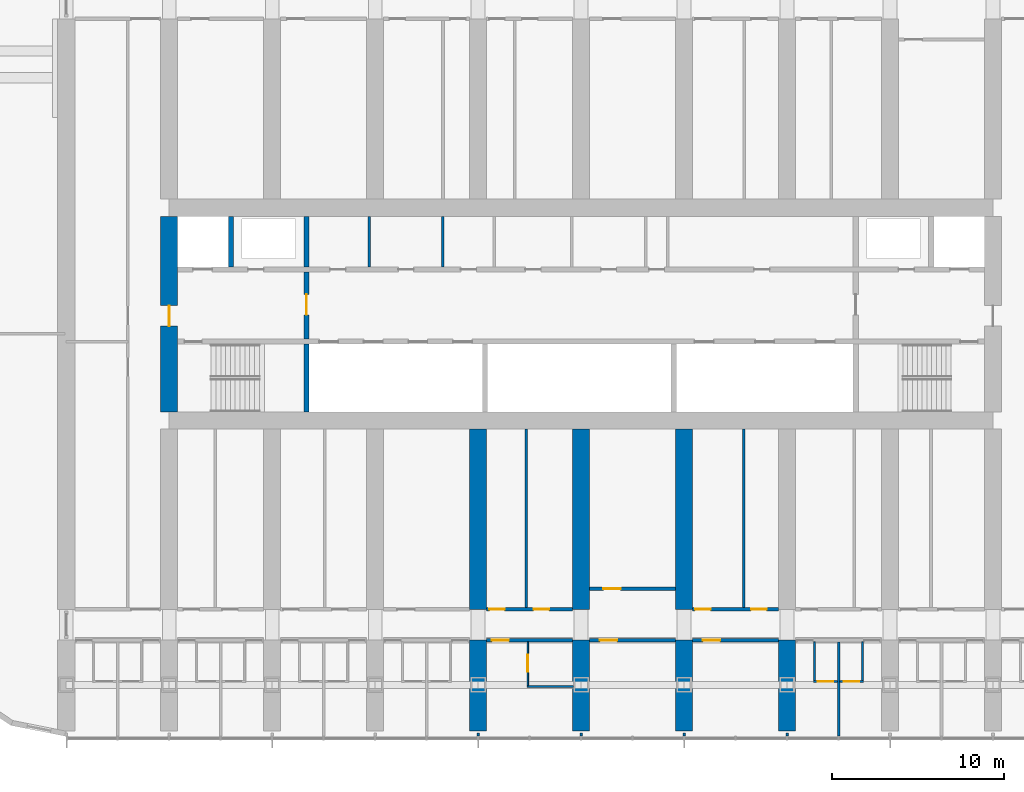
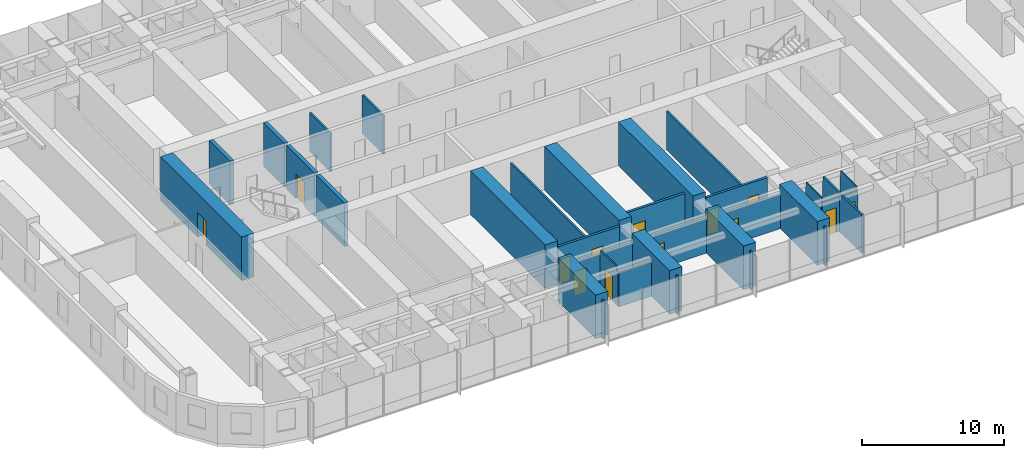
# One storey, part 12 of 24: 33 walls, 13 doors, 13 openings.
"""IFC4 building model written with IfcOpenShell, lengths in metres."""

import ifcopenshell
import ifcopenshell.guid

model = None  # the IFC model being written
_history = None  # IfcOwnerHistory: only IFC2X3 demands one
_inside = {}  # id of a spatial element -> (the spatial element, [elements in it])
_under = {}  # id of a project, library or spatial element -> (it, [spatial elements below it])
_declared = {}  # id of a project -> (the project, [libraries it declares])
_typed = {}  # id of a type object -> (the type object, [elements of that type])
_made_of = {}  # id of a material, layer set ... -> (it, [elements and type objects made of it])


def new_model(schema):
    """Start an empty IFC model of exactly this schema.

    Asked for "IFC4X3", IfcOpenShell would pick the latest addendum, in which some entities
    have other attributes; the version numbers below select the first issue.
    IFC2X3 requires an IfcOwnerHistory on every rooted entity: one is made here for all.
    """
    global model, _history
    if schema == "IFC4X3":
        model = ifcopenshell.file(schema_version=(4, 3, 0, 0))
    else:
        model = ifcopenshell.file(schema=schema)
    _inside.clear()
    _under.clear()
    _declared.clear()
    _typed.clear()
    _made_of.clear()
    _history = None
    if model.schema == "IFC2X3":
        org = make("IfcOrganization", Name="unknown")
        user = make(
            "IfcPersonAndOrganization",
            ThePerson=make("IfcPerson", FamilyName="unknown"),
            TheOrganization=org,
        )
        app = make(
            "IfcApplication",
            ApplicationDeveloper=org,
            Version="unknown",
            ApplicationFullName="unknown",
            ApplicationIdentifier="unknown",
        )
        _history = make(
            "IfcOwnerHistory",
            OwningUser=user,
            OwningApplication=app,
            ChangeAction="ADDED",
            CreationDate=0,
        )
    return model


def make(cls, **values):
    """One entity of the class cls with the attributes given. An attribute that is None is left unset."""
    return model.create_entity(
        cls, **{name: value for name, value in values.items() if value is not None}
    )


def rooted(cls, **values):
    """An entity with a GlobalId (a new one), such as an element, a storey or a relation."""
    return make(cls, GlobalId=ifcopenshell.guid.new(), OwnerHistory=_history, **values)


def si_unit(unit_type, name, prefix=None):
    """IfcSIUnit, for example si_unit("LENGTHUNIT", "METRE", prefix="MILLI")."""
    return make("IfcSIUnit", UnitType=unit_type, Prefix=prefix, Name=name)


def assignment(units):
    """IfcUnitAssignment: the units of a project."""
    return None if units is None else make("IfcUnitAssignment", Units=units)


def point(xyz):
    """IfcCartesianPoint."""
    return None if xyz is None else make("IfcCartesianPoint", Coordinates=xyz)


def direction(xyz):
    """IfcDirection."""
    return None if xyz is None else make("IfcDirection", DirectionRatios=xyz)


def frame(location, z_axis=None, x_axis=None):
    """IfcAxis2Placement3D, a coordinate frame: its origin and axes. An axis left out is left unset."""
    return make(
        "IfcAxis2Placement3D",
        Location=point(location),
        Axis=direction(z_axis),
        RefDirection=direction(x_axis),
    )


def frame_2d(location, x_axis=None):
    """IfcAxis2Placement2D, a coordinate frame in the plane: its origin and x axis."""
    return make(
        "IfcAxis2Placement2D", Location=point(location), RefDirection=direction(x_axis)
    )


def origin():
    """The frame at (0, 0, 0) with its axes left unset."""
    return frame((0.0, 0.0, 0.0))


def place(relative_to, where):
    """IfcLocalPlacement: puts the frame where relative to a parent placement (None: the world)."""
    return make(
        "IfcLocalPlacement", PlacementRelTo=relative_to, RelativePlacement=where
    )


def context(
    kind, dimensions, precision=None, world=None, true_north=None, identifier=None
):
    """IfcGeometricRepresentationContext, for example the 3D "Model" context."""
    return make(
        "IfcGeometricRepresentationContext",
        ContextIdentifier=identifier,
        ContextType=kind,
        CoordinateSpaceDimension=dimensions,
        Precision=precision,
        WorldCoordinateSystem=world,
        TrueNorth=true_north,
    )


def subcontext(parent, identifier, kind, view, scale=None):
    """IfcGeometricRepresentationSubContext, for example "Body" below "Model"."""
    return make(
        "IfcGeometricRepresentationSubContext",
        ContextIdentifier=identifier,
        ContextType=kind,
        ParentContext=parent,
        TargetScale=scale,
        TargetView=view,
    )


def project(units=None, contexts=None):
    """IfcProject with its units and contexts."""
    return rooted(
        "IfcProject",
        Name="project",
        RepresentationContexts=contexts,
        UnitsInContext=assignment(units),
    )


def spatial(cls, under=None, at=None, **own):
    """A site, building, storey or space (cls), placed at a placement, below another one or the project."""
    s = rooted(cls, ObjectPlacement=at, **own)
    if under is not None:
        _under.setdefault(under.id(), (under, []))[1].append(s)
    return s


def polyline(points):
    """IfcPolyline through the points."""
    return make("IfcPolyline", Points=[point(p) for p in points])


def profile(cls, at=None, kind="AREA", **sizes):
    """A parametric profile (cls). Its sizes go by their IFC names, for example OverallWidth=200.0."""
    return make(cls, ProfileType=kind, Position=at, **sizes)


def rectangle(**sizes):
    """IfcRectangleProfileDef."""
    return profile("IfcRectangleProfileDef", **sizes)


def outline(outer, holes=None, kind="AREA"):
    """IfcArbitraryClosedProfileDef: a profile drawn as a closed curve; with holes, ...WithVoids."""
    if holes is None:
        return make("IfcArbitraryClosedProfileDef", ProfileType=kind, OuterCurve=outer)
    return make(
        "IfcArbitraryProfileDefWithVoids",
        ProfileType=kind,
        OuterCurve=outer,
        InnerCurves=holes,
    )


def extrude(swept, where, along, depth):
    """IfcExtrudedAreaSolid: the profile swept, set in the frame where, extruded along a direction by depth."""
    return make(
        "IfcExtrudedAreaSolid",
        SweptArea=swept,
        Position=where,
        ExtrudedDirection=direction(along),
        Depth=depth,
    )


def shape(context_of_items, identifier, shape_type, items):
    """IfcShapeRepresentation: the items that make up one representation, for example the "Body"."""
    return make(
        "IfcShapeRepresentation",
        ContextOfItems=context_of_items,
        RepresentationIdentifier=identifier,
        RepresentationType=shape_type,
        Items=items,
    )


def material(Name=None, Category=None):
    """IfcMaterial."""
    return make("IfcMaterial", Name=Name, Category=Category)


def layer(
    of_material, thickness, ventilated=None, Name=None, Category=None, Priority=None
):
    """IfcMaterialLayer: one layer of a wall or slab, of a material (None: an air gap)."""
    return make(
        "IfcMaterialLayer",
        Material=of_material,
        LayerThickness=thickness,
        IsVentilated=ventilated,
        Name=Name,
        Category=Category,
        Priority=Priority,
    )


def layer_set(layers, Name=None):
    """IfcMaterialLayerSet."""
    return make("IfcMaterialLayerSet", MaterialLayers=layers, LayerSetName=Name)


def made_of(thing, what):
    """Note that an element or type object is made of a material, layer set ...; save() writes the relation."""
    if what is not None:
        _made_of.setdefault(what.id(), (what, []))[1].append(thing)
    return thing


def type_object(cls, material=None, **own):
    """A type object (cls), such as IfcWallType, which elements share."""
    return made_of(rooted(cls, **own), material)


def element(
    cls,
    number,
    at=None,
    inside=None,
    cuts=None,
    type_object=None,
    material=None,
    context=None,
    identifier="Body",
    shape_type=None,
    held_by="IfcProductDefinitionShape",
    body=None,
    shapes=None,
    **own,
):
    """One element of the class cls, such as IfcWall. Its Tag is "e" and its number.

    at: its placement. inside: the storey or other place that contains it. cuts: it is an
    opening in that element (IfcRelVoidsElement). A single representation is given by context,
    identifier, shape_type and body (its items); several are given by shapes. held_by: the class
    of the entity that holds the representations. save() writes the other relations.
    """
    e = rooted(cls, Tag="e%d" % number, ObjectPlacement=at, **own)
    if body is not None:
        shapes = [shape(context, identifier, shape_type, body)]
    if shapes is not None:
        e.Representation = make(held_by, Representations=shapes)
    if inside is not None:
        _inside.setdefault(inside.id(), (inside, []))[1].append(e)
    if cuts is not None:
        rooted(
            "IfcRelVoidsElement", RelatingBuildingElement=cuts, RelatedOpeningElement=e
        )
    if type_object is not None:
        _typed.setdefault(type_object.id(), (type_object, []))[1].append(e)
    return made_of(e, material)


def fill(opening, filler):
    """IfcRelFillsElement: the door or window that sits in an opening."""
    return rooted(
        "IfcRelFillsElement",
        RelatingOpeningElement=opening,
        RelatedBuildingElement=filler,
    )


def aggregate(whole, parts):
    """IfcRelAggregates: a whole, such as a stair, and the parts it consists of."""
    return rooted("IfcRelAggregates", RelatingObject=whole, RelatedObjects=parts)


def save(model, path):
    """Write the relations noted so far, then the file.

    IfcRelAggregates (storeys below a building ...), IfcRelContainedInSpatialStructure (elements
    in a storey), IfcRelDefinesByType, IfcRelAssociatesMaterial and IfcRelDeclares: one each for
    every whole, place, type object, material and project.
    """
    for whole, parts in _under.values():
        aggregate(whole, parts)
    for where, things in _inside.values():
        rooted(
            "IfcRelContainedInSpatialStructure",
            RelatedElements=things,
            RelatingStructure=where,
        )
    for kind, things in _typed.values():
        rooted("IfcRelDefinesByType", RelatedObjects=things, RelatingType=kind)
    for what, things in _made_of.values():
        rooted("IfcRelAssociatesMaterial", RelatedObjects=things, RelatingMaterial=what)
    for by, libraries in _declared.values():
        rooted("IfcRelDeclares", RelatingContext=by, RelatedDefinitions=libraries)
    model.write(path)


model = new_model("IFC4")

# Units and contexts
model_context = context("Model", 3, precision=1e-05, world=origin(), true_north=direction((0.0, 1.0)))
body_context = subcontext(model_context, "Body", "Model", "MODEL_VIEW")
ifc_project = project(units=[si_unit("LENGTHUNIT", "METRE"), si_unit("AREAUNIT", "SQUARE_METRE"), si_unit("VOLUMEUNIT", "CUBIC_METRE"), si_unit("PLANEANGLEUNIT", "RADIAN"), si_unit("MASSUNIT", "GRAM", prefix="KILO")], contexts=[model_context])

# Site, building, storey
site_placement = place(None, origin())
site = spatial("IfcSite", under=ifc_project, at=site_placement, CompositionType="ELEMENT")
building_placement = place(site_placement, origin())
building = spatial("IfcBuilding", under=site, at=building_placement, Name="Orbita Commons", CompositionType="ELEMENT")
storey_placement = place(building_placement, frame((0.0, 0.0, 35.199951171875)))
storey = spatial("IfcBuildingStorey", under=building, at=storey_placement, Name="L08", CompositionType="ELEMENT", Elevation=35.199951171875)

# Wall
ifc_material_1 = material(Name="Concrete C50/60", Category="concrete")
ifc_layer_1 = layer(ifc_material_1, 0.300048828125)
ifc_layer_set_1 = layer_set([ifc_layer_1], Name="Concrete C50/60")
wall_type_1 = type_object("IfcWallType", Name="Core inner wall 300 C50/60", PredefinedType="SHEAR", material=ifc_layer_set_1)
wall_1_placement = place(storey_placement, frame((26.0, 26.300048828125, 0.0), z_axis=(0.0, 0.0, 1.0), x_axis=(0.0, 1.0, 0.0)))
element("IfcWall", 1, at=wall_1_placement, inside=storey, type_object=wall_type_1, Name="Stair S1 wall L08", PredefinedType="SHEAR", context=body_context, shape_type="SweptSolid", body=[
    extrude(rectangle(XDim=3.949951171875, YDim=0.300048828125, at=frame_2d((1.97509765625, 0.0))), origin(), (0.0, 0.0, 1.0), 3.75),
])

# Wall, opening, door
wall_2_placement = place(storey_placement, frame((26.0, 30.550048828125, 0.0), z_axis=(0.0, 0.0, 1.0), x_axis=(0.0, 1.0, 0.0)))
wall_2 = element("IfcWall", 2, at=wall_2_placement, inside=storey, type_object=wall_type_1, Name="Firefighting lobby wall west L08", PredefinedType="SHEAR", context=body_context, shape_type="SweptSolid", body=[
    extrude(rectangle(XDim=3.89990234375, YDim=0.300048828125, at=frame_2d((1.949951171875, 0.0))), origin(), (0.0, 0.0, 1.0), 3.75),
])
opening_1_placement = place(wall_2_placement, frame((1.39990234375, 0.0, 0.0)))
opening_1 = element("IfcOpeningElement", 3, at=opening_1_placement, cuts=wall_2, Name="Opening D04", PredefinedType="OPENING", context=body_context, shape_type="SweptSolid", body=[
    extrude(rectangle(XDim=1.199951171875, YDim=2.10009765625, at=frame_2d((0.60009765625, 1.050048828125))), frame((0.0, 0.159912109375, 0.0), z_axis=(0.0, -1.0, 0.0), x_axis=(1.0, 0.0, 0.0)), (0.0, 0.0, 1.0), 0.320068359375),
])
ifc_material_2 = material(Name="Steel-faced fire door leaf", Category="steel")
door_type_1 = type_object("IfcDoorType", Name="Service door 20 min 1200x2100", OperationType="SINGLE_SWING_LEFT", PredefinedType="DOOR", material=ifc_material_2)
door_1_placement = place(opening_1_placement, origin())
door_1 = element("IfcDoor", 4, at=door_1_placement, inside=storey, type_object=door_type_1, Name="Lift lobby door west", OperationType="SINGLE_SWING_LEFT", OverallHeight=2.10009765625, OverallWidth=1.199951171875, PredefinedType="DOOR", context=body_context, shape_type="SweptSolid", body=[
    extrude(rectangle(XDim=1.199951171875, YDim=2.10009765625, at=frame_2d((0.60009765625, 1.050048828125))), frame((0.0, 0.02490234375, 0.0), z_axis=(0.0, -1.0, 0.0), x_axis=(1.0, 0.0, 0.0)), (0.0, 0.0, 1.0), 0.050048828125),
])
fill(opening_1, door_1)

# Walls
for number, where, z_axis, x_axis, name in (
    (5, (21.60009765625, 34.75, 0.0), (0.0, 0.0, 1.0), (0.0, 1.0, 0.0), "Firefighting lift FL1 shaft wall L08"),
    (6, (26.0, 34.75, 0.0), (0.0, 0.0, 1.0), (0.0, 1.0, 0.0), "Riser wall west L08"),
):
    element("IfcWall", number, at=place(storey_placement, frame(where, z_axis=z_axis, x_axis=x_axis)), inside=storey, type_object=wall_type_1, Name=name, PredefinedType="SHEAR", context=body_context, shape_type="SweptSolid", body=[
        extrude(rectangle(XDim=2.949951171875, YDim=0.300048828125, at=frame_2d((1.47509765625, 0.0))), origin(), (0.0, 0.0, 1.0), 3.75),
    ])
ifc_material_3 = material(Name="Concrete blockwork", Category="masonry")
ifc_layer_2 = layer(ifc_material_3, 0.14990234375)
ifc_layer_set_2 = layer_set([ifc_layer_2], Name="Concrete blockwork")
wall_type_2 = type_object("IfcWallType", Name="Core partition 150 blockwork", PredefinedType="SOLIDWALL", material=ifc_layer_set_2)
for number, where, z_axis, x_axis, name in (
    (7, (29.65087890625, 34.75, 0.0), (0.0, 0.0, 1.0), (0.0, 1.0, 0.0), "Core partition 150 blockwork L08"),
    (8, (33.9462890625, 34.75, 0.0), (0.0, 0.0, 1.0), (0.0, 1.0, 0.0), "Core partition 150 blockwork L08"),
):
    element("IfcWall", number, at=place(storey_placement, frame(where, z_axis=z_axis, x_axis=x_axis)), inside=storey, type_object=wall_type_2, Name=name, PredefinedType="SOLIDWALL", context=body_context, shape_type="SweptSolid", body=[
        extrude(rectangle(XDim=2.949951171875, YDim=0.14990234375, at=frame_2d((1.47509765625, 0.0))), origin(), (0.0, 0.0, 1.0), 3.300048828125),
    ])

# Wall, opening, door
ifc_material_4 = material(Name="Concrete C50/60", Category="concrete")
ifc_layer_3 = layer(ifc_material_4, 1.0)
ifc_layer_set_3 = layer_set([ifc_layer_3], Name="Concrete C50/60")
wall_type_3 = type_object("IfcWallType", Name="Core wall 1000 C50/60", PredefinedType="SHEAR", material=ifc_layer_set_3)
wall_3_placement = place(storey_placement, frame((18.0, 26.300048828125, 0.0), z_axis=(0.0, 0.0, 1.0), x_axis=(0.0, 1.0, 0.0)))
wall_3 = element("IfcWall", 9, at=wall_3_placement, inside=storey, type_object=wall_type_3, Name="Core end wall west L08", PredefinedType="SHEAR", context=body_context, shape_type="SweptSolid", body=[
    extrude(rectangle(XDim=11.39990234375, YDim=1.0, at=frame_2d((5.699951171875, 0.0))), origin(), (0.0, 0.0, 1.0), 3.75),
])
opening_2_placement = place(wall_3_placement, frame((5.0, 0.0, 0.0)))
opening_2 = element("IfcOpeningElement", 10, at=opening_2_placement, cuts=wall_3, Name="Opening D01", PredefinedType="OPENING", context=body_context, shape_type="SweptSolid", body=[
    extrude(rectangle(XDim=1.199951171875, YDim=2.10009765625, at=frame_2d((0.60009765625, 1.050048828125))), frame((0.0, 0.510009765625, 0.0), z_axis=(0.0, -1.0, 0.0), x_axis=(1.0, 0.0, 0.0)), (0.0, 0.0, 1.0), 1.02001953125),
])
ifc_material_5 = material(Name="Steel-faced fire door leaf", Category="steel")
door_type_2 = type_object("IfcDoorType", Name="Fire door 90 min 1200x2100", OperationType="SINGLE_SWING_LEFT", PredefinedType="DOOR", material=ifc_material_5)
door_2_placement = place(opening_2_placement, origin())
door_2 = element("IfcDoor", 11, at=door_2_placement, inside=storey, type_object=door_type_2, Name="Firefighting lobby west door", OperationType="SINGLE_SWING_LEFT", OverallHeight=2.10009765625, OverallWidth=1.199951171875, PredefinedType="DOOR", context=body_context, shape_type="SweptSolid", body=[
    extrude(rectangle(XDim=1.199951171875, YDim=2.10009765625, at=frame_2d((0.60009765625, 1.050048828125))), frame((0.0, 0.02490234375, 0.0), z_axis=(0.0, -1.0, 0.0), x_axis=(1.0, 0.0, 0.0)), (0.0, 0.0, 1.0), 0.050048828125),
])
fill(opening_2, door_2)

ifc_material_6 = material(Name="Concrete blockwork", Category="masonry")
ifc_layer_4 = layer(ifc_material_6, 0.199951171875)
ifc_layer_set_4 = layer_set([ifc_layer_4], Name="Concrete blockwork")
wall_type_4 = type_object("IfcWallType", Name="Corridor wall 200 blockwork", PredefinedType="SOLIDWALL", material=ifc_layer_set_4)
wall_4_placement = place(storey_placement, frame((36.5, 13.0, 0.0), z_axis=(0.0, 0.0, 1.0), x_axis=(1.0, 0.0, 0.0)))
wall_4 = element("IfcWall", 12, at=wall_4_placement, inside=storey, type_object=wall_type_4, Name="Corridor wall 200 blockwork L08", PredefinedType="SOLIDWALL", context=body_context, shape_type="SweptSolid", body=[
    extrude(outline(polyline([(0.0, 0.0), (5.0, 0.0), (5.0, 2.900146484375), (0.0, 2.900146484375), (0.0, 0.0)])), frame((0.0, 0.10009765625, 0.0), z_axis=(0.0, -1.0, 0.0), x_axis=(1.0, 0.0, 0.0)), (0.0, 0.0, 1.0), 0.199951171875),
])
opening_3_placement = place(wall_4_placement, frame((0.300048828125, 0.0, 0.0)))
opening_3 = element("IfcOpeningElement", 13, at=opening_3_placement, cuts=wall_4, Name="Opening D06", PredefinedType="OPENING", context=body_context, shape_type="SweptSolid", body=[
    extrude(rectangle(XDim=1.0, YDim=2.10009765625, at=frame_2d((0.5, 1.050048828125))), frame((0.0, 0.10986328125, 0.0), z_axis=(0.0, -1.0, 0.0), x_axis=(1.0, 0.0, 0.0)), (0.0, 0.0, 1.0), 0.219970703125),
])
ifc_material_7 = material(Name="Steel-faced fire door leaf", Category="steel")
door_type_3 = type_object("IfcDoorType", Name="Corridor door 20 min 1000x2100", OperationType="SINGLE_SWING_LEFT", PredefinedType="DOOR", material=ifc_material_7)
door_3_placement = place(opening_3_placement, origin())
door_3 = element("IfcDoor", 14, at=door_3_placement, inside=storey, type_object=door_type_3, Name="Accessible bedroom L08-S08 door", OperationType="SINGLE_SWING_LEFT", OverallHeight=2.10009765625, OverallWidth=1.0, PredefinedType="DOOR", context=body_context, shape_type="SweptSolid", body=[
    extrude(rectangle(XDim=1.0, YDim=2.10009765625, at=frame_2d((0.5, 1.050048828125))), frame((0.0, 0.02490234375, 0.0), z_axis=(0.0, -1.0, 0.0), x_axis=(1.0, 0.0, 0.0)), (0.0, 0.0, 1.0), 0.050048828125),
])
fill(opening_3, door_3)

wall_5_placement = place(storey_placement, frame((42.5, 13.0, 0.0), z_axis=(0.0, 0.0, 1.0), x_axis=(1.0, 0.0, 0.0)))
wall_5 = element("IfcWall", 15, at=wall_5_placement, inside=storey, type_object=wall_type_4, Name="Corridor wall 200 blockwork L08", PredefinedType="SOLIDWALL", context=body_context, shape_type="SweptSolid", body=[
    extrude(outline(polyline([(0.0, 0.0), (5.0, 0.0), (5.0, 2.900146484375), (0.0, 2.900146484375), (0.0, 0.0)])), frame((0.0, 0.10009765625, 0.0), z_axis=(0.0, -1.0, 0.0), x_axis=(1.0, 0.0, 0.0)), (0.0, 0.0, 1.0), 0.199951171875),
])
opening_4_placement = place(wall_5_placement, frame((0.60009765625, 0.0, 0.0)))
opening_4 = element("IfcOpeningElement", 16, at=opening_4_placement, cuts=wall_5, Name="Opening D06", PredefinedType="OPENING", context=body_context, shape_type="SweptSolid", body=[
    extrude(rectangle(XDim=1.0, YDim=2.10009765625, at=frame_2d((0.5, 1.050048828125))), frame((0.0, 0.10986328125, 0.0), z_axis=(0.0, -1.0, 0.0), x_axis=(1.0, 0.0, 0.0)), (0.0, 0.0, 1.0), 0.219970703125),
])
door_4_placement = place(opening_4_placement, origin())
door_4 = element("IfcDoor", 17, at=door_4_placement, inside=storey, type_object=door_type_3, Name="House study room L08-S10 door", OperationType="SINGLE_SWING_LEFT", OverallHeight=2.10009765625, OverallWidth=1.0, PredefinedType="DOOR", context=body_context, shape_type="SweptSolid", body=[
    extrude(rectangle(XDim=1.0, YDim=2.10009765625, at=frame_2d((0.5, 1.050048828125))), frame((0.0, 0.02490234375, 0.0), z_axis=(0.0, -1.0, 0.0), x_axis=(1.0, 0.0, 0.0)), (0.0, 0.0, 1.0), 0.050048828125),
])
fill(opening_4, door_4)

wall_6_placement = place(storey_placement, frame((48.5, 13.0, 0.0), z_axis=(0.0, 0.0, 1.0), x_axis=(1.0, 0.0, 0.0)))
wall_6 = element("IfcWall", 18, at=wall_6_placement, inside=storey, type_object=wall_type_4, Name="Corridor wall 200 blockwork L08", PredefinedType="SOLIDWALL", context=body_context, shape_type="SweptSolid", body=[
    extrude(outline(polyline([(0.0, 0.0), (5.0, 0.0), (5.0, 2.900146484375), (0.0, 2.900146484375), (0.0, 0.0)])), frame((0.0, 0.10009765625, 0.0), z_axis=(0.0, -1.0, 0.0), x_axis=(1.0, 0.0, 0.0)), (0.0, 0.0, 1.0), 0.199951171875),
])
opening_5_placement = place(wall_6_placement, frame((0.60009765625, 0.0, 0.0)))
opening_5 = element("IfcOpeningElement", 19, at=opening_5_placement, cuts=wall_6, Name="Opening D06", PredefinedType="OPENING", context=body_context, shape_type="SweptSolid", body=[
    extrude(rectangle(XDim=1.0, YDim=2.10009765625, at=frame_2d((0.5, 1.050048828125))), frame((0.0, 0.10986328125, 0.0), z_axis=(0.0, -1.0, 0.0), x_axis=(1.0, 0.0, 0.0)), (0.0, 0.0, 1.0), 0.219970703125),
])
door_5_placement = place(opening_5_placement, origin())
door_5 = element("IfcDoor", 20, at=door_5_placement, inside=storey, type_object=door_type_3, Name="House kitchen-diner L08-S12 door", OperationType="SINGLE_SWING_LEFT", OverallHeight=2.10009765625, OverallWidth=1.0, PredefinedType="DOOR", context=body_context, shape_type="SweptSolid", body=[
    extrude(rectangle(XDim=1.0, YDim=2.10009765625, at=frame_2d((0.5, 1.050048828125))), frame((0.0, 0.02490234375, 0.0), z_axis=(0.0, -1.0, 0.0), x_axis=(1.0, 0.0, 0.0)), (0.0, 0.0, 1.0), 0.050048828125),
])
fill(opening_5, door_5)

# Wall, openings, doors
ifc_material_8 = material(Name="Hollow concrete block 200", Category="concrete")
ifc_layer_5 = layer(ifc_material_8, 0.199951171875)
ifc_layer_set_5 = layer_set([ifc_layer_5], Name="Hollow concrete block 200")
wall_type_5 = type_object("IfcWallType", Name="Corridor wall 200 hollow concrete block", PredefinedType="SOLIDWALL", material=ifc_layer_set_5)
wall_7_placement = place(storey_placement, frame((36.5, 14.800048828125, 0.0), z_axis=(0.0, 0.0, 1.0), x_axis=(1.0, 0.0, 0.0)))
wall_7 = element("IfcWall", 21, at=wall_7_placement, inside=storey, type_object=wall_type_5, Name="Corridor wall 200 hollow concrete block L08", PredefinedType="SOLIDWALL", context=body_context, shape_type="SweptSolid", body=[
    extrude(rectangle(XDim=5.0, YDim=0.199951171875, at=frame_2d((2.5, 0.0))), origin(), (0.0, 0.0, 1.0), 3.300048828125),
])
opening_6_placement = place(wall_7_placement, frame((0.14990234375, 0.0, 0.0)))
opening_6 = element("IfcOpeningElement", 22, at=opening_6_placement, cuts=wall_7, Name="Opening D11", PredefinedType="OPENING", context=body_context, shape_type="SweptSolid", body=[
    extrude(rectangle(XDim=0.89990234375, YDim=2.10009765625, at=frame_2d((0.449951171875, 1.050048828125))), frame((0.0, 0.10986328125, 0.0), z_axis=(0.0, -1.0, 0.0), x_axis=(1.0, 0.0, 0.0)), (0.0, 0.0, 1.0), 0.219970703125),
])
opening_7_placement = place(wall_7_placement, frame((2.735107421875, 0.0, 0.0)))
opening_7 = element("IfcOpeningElement", 23, at=opening_7_placement, cuts=wall_7, Name="Opening D11", PredefinedType="OPENING", context=body_context, shape_type="SweptSolid", body=[
    extrude(rectangle(XDim=0.89990234375, YDim=2.10009765625, at=frame_2d((0.449951171875, 1.050048828125))), frame((0.0, 0.10986328125, 0.0), z_axis=(0.0, -1.0, 0.0), x_axis=(1.0, 0.0, 0.0)), (0.0, 0.0, 1.0), 0.219970703125),
])
ifc_material_9 = material(Name="Steel-faced fire door leaf", Category="steel")
door_type_4 = type_object("IfcDoorType", Name="Corridor door 20 min 900x2100", OperationType="SINGLE_SWING_LEFT", PredefinedType="DOOR", material=ifc_material_9)
door_6_placement = place(opening_6_placement, origin())
door_6 = element("IfcDoor", 24, at=door_6_placement, inside=storey, type_object=door_type_4, Name="Quiet room L08-BDS36 door", OperationType="SINGLE_SWING_LEFT", OverallHeight=2.10009765625, OverallWidth=0.89990234375, PredefinedType="DOOR", context=body_context, shape_type="SweptSolid", body=[
    extrude(rectangle(XDim=0.89990234375, YDim=2.10009765625, at=frame_2d((0.449951171875, 1.050048828125))), frame((0.0, 0.02490234375, 0.0), z_axis=(0.0, -1.0, 0.0), x_axis=(1.0, 0.0, 0.0)), (0.0, 0.0, 1.0), 0.050048828125),
])
fill(opening_6, door_6)
door_7_placement = place(opening_7_placement, origin())
door_7 = element("IfcDoor", 25, at=door_7_placement, inside=storey, type_object=door_type_4, Name="Battery and UPS room L08-BDS36n door", OperationType="SINGLE_SWING_LEFT", OverallHeight=2.10009765625, OverallWidth=0.89990234375, PredefinedType="DOOR", context=body_context, shape_type="SweptSolid", body=[
    extrude(rectangle(XDim=0.89990234375, YDim=2.10009765625, at=frame_2d((0.449951171875, 1.050048828125))), frame((0.0, 0.02490234375, 0.0), z_axis=(0.0, -1.0, 0.0), x_axis=(1.0, 0.0, 0.0)), (0.0, 0.0, 1.0), 0.050048828125),
])
fill(opening_7, door_7)

wall_8_placement = place(storey_placement, frame((48.5, 14.800048828125, 0.0), z_axis=(0.0, 0.0, 1.0), x_axis=(1.0, 0.0, 0.0)))
wall_8 = element("IfcWall", 26, at=wall_8_placement, inside=storey, type_object=wall_type_5, Name="Corridor wall 200 hollow concrete block L08", PredefinedType="SOLIDWALL", context=body_context, shape_type="SweptSolid", body=[
    extrude(rectangle(XDim=5.0, YDim=0.199951171875, at=frame_2d((2.5, 0.0))), origin(), (0.0, 0.0, 1.0), 3.300048828125),
])
opening_8_placement = place(wall_8_placement, frame((0.14990234375, 0.0, 0.0)))
opening_8 = element("IfcOpeningElement", 27, at=opening_8_placement, cuts=wall_8, Name="Opening D11", PredefinedType="OPENING", context=body_context, shape_type="SweptSolid", body=[
    extrude(rectangle(XDim=0.89990234375, YDim=2.10009765625, at=frame_2d((0.449951171875, 1.050048828125))), frame((0.0, 0.10986328125, 0.0), z_axis=(0.0, -1.0, 0.0), x_axis=(1.0, 0.0, 0.0)), (0.0, 0.0, 1.0), 0.219970703125),
])
opening_9_placement = place(wall_8_placement, frame((3.405029296875, 0.0, 0.0)))
opening_9 = element("IfcOpeningElement", 28, at=opening_9_placement, cuts=wall_8, Name="Opening D11", PredefinedType="OPENING", context=body_context, shape_type="SweptSolid", body=[
    extrude(rectangle(XDim=0.89990234375, YDim=2.10009765625, at=frame_2d((0.449951171875, 1.050048828125))), frame((0.0, 0.10986328125, 0.0), z_axis=(0.0, -1.0, 0.0), x_axis=(1.0, 0.0, 0.0)), (0.0, 0.0, 1.0), 0.219970703125),
])
door_8_placement = place(opening_8_placement, origin())
door_8 = element("IfcDoor", 29, at=door_8_placement, inside=storey, type_object=door_type_4, Name="Drying room L08-BDS48 door", OperationType="SINGLE_SWING_LEFT", OverallHeight=2.10009765625, OverallWidth=0.89990234375, PredefinedType="DOOR", context=body_context, shape_type="SweptSolid", body=[
    extrude(rectangle(XDim=0.89990234375, YDim=2.10009765625, at=frame_2d((0.449951171875, 1.050048828125))), frame((0.0, 0.02490234375, 0.0), z_axis=(0.0, -1.0, 0.0), x_axis=(1.0, 0.0, 0.0)), (0.0, 0.0, 1.0), 0.050048828125),
])
fill(opening_8, door_8)
door_9_placement = place(opening_9_placement, origin())
door_9 = element("IfcDoor", 30, at=door_9_placement, inside=storey, type_object=door_type_4, Name="Sprinkler valve room L08-BDS48n door", OperationType="SINGLE_SWING_LEFT", OverallHeight=2.10009765625, OverallWidth=0.89990234375, PredefinedType="DOOR", context=body_context, shape_type="SweptSolid", body=[
    extrude(rectangle(XDim=0.89990234375, YDim=2.10009765625, at=frame_2d((0.449951171875, 1.050048828125))), frame((0.0, 0.02490234375, 0.0), z_axis=(0.0, -1.0, 0.0), x_axis=(1.0, 0.0, 0.0)), (0.0, 0.0, 1.0), 0.050048828125),
])
fill(opening_9, door_9)

# Wall, opening, door
wall_9_placement = place(storey_placement, frame((42.5, 16.0, 0.0), z_axis=(0.0, 0.0, 1.0), x_axis=(1.0, 0.0, 0.0)))
wall_9 = element("IfcWall", 31, at=wall_9_placement, inside=storey, type_object=wall_type_5, Name="Corridor wall 200 hollow concrete block L08", PredefinedType="SOLIDWALL", context=body_context, shape_type="SweptSolid", body=[
    extrude(rectangle(XDim=5.0, YDim=0.199951171875, at=frame_2d((2.5, 0.0))), origin(), (0.0, 0.0, 1.0), 3.300048828125),
])
opening_10_placement = place(wall_9_placement, frame((0.800048828125, 0.0, 0.0)))
opening_10 = element("IfcOpeningElement", 32, at=opening_10_placement, cuts=wall_9, Name="Opening D06", PredefinedType="OPENING", context=body_context, shape_type="SweptSolid", body=[
    extrude(rectangle(XDim=1.0, YDim=2.10009765625, at=frame_2d((0.5, 1.050048828125))), frame((0.0, 0.10986328125, 0.0), z_axis=(0.0, -1.0, 0.0), x_axis=(1.0, 0.0, 0.0)), (0.0, 0.0, 1.0), 0.219970703125),
])
door_10_placement = place(opening_10_placement, origin())
door_10 = element("IfcDoor", 33, at=door_10_placement, inside=storey, type_object=door_type_3, Name="Parcel and post room L08-BDS42 door", OperationType="SINGLE_SWING_LEFT", OverallHeight=2.10009765625, OverallWidth=1.0, PredefinedType="DOOR", context=body_context, shape_type="SweptSolid", body=[
    extrude(rectangle(XDim=1.0, YDim=2.10009765625, at=frame_2d((0.5, 1.050048828125))), frame((0.0, 0.02490234375, 0.0), z_axis=(0.0, -1.0, 0.0), x_axis=(1.0, 0.0, 0.0)), (0.0, 0.0, 1.0), 0.050048828125),
])
fill(opening_10, door_10)

# Walls
ifc_material_10 = material(Name="Concrete C50/60", Category="concrete")
ifc_layer_6 = layer(ifc_material_10, 1.0)
ifc_layer_set_6 = layer_set([ifc_layer_6], Name="Concrete C50/60")
wall_type_6 = type_object("IfcWallType", Name="Cross wall 1000 C50/60", PredefinedType="SHEAR", material=ifc_layer_set_6)
wall_10_placement = place(storey_placement, frame((36.0, 7.699951171875, 0.0), z_axis=(0.0, 0.0, 1.0), x_axis=(0.0, 1.0, 0.0)))
element("IfcWall", 34, at=wall_10_placement, inside=storey, type_object=wall_type_6, Name="Cross wall 7 south outer L08", PredefinedType="SHEAR", context=body_context, shape_type="SweptSolid", body=[
    extrude(rectangle(XDim=5.300048828125, YDim=1.0, at=frame_2d((2.64990234375, 0.0))), origin(), (0.0, 0.0, 1.0), 3.75),
])
wall_11_placement = place(storey_placement, frame((36.0, 14.800048828125, 0.0), z_axis=(0.0, 0.0, 1.0), x_axis=(0.0, 1.0, 0.0)))
element("IfcWall", 35, at=wall_11_placement, inside=storey, type_object=wall_type_6, Name="Cross wall 7 south inner L08", PredefinedType="SHEAR", context=body_context, shape_type="SweptSolid", body=[
    extrude(rectangle(XDim=10.5, YDim=1.0, at=frame_2d((5.25, 0.0))), origin(), (0.0, 0.0, 1.0), 3.75),
])
wall_12_placement = place(storey_placement, frame((42.0, 7.699951171875, 0.0), z_axis=(0.0, 0.0, 1.0), x_axis=(0.0, 1.0, 0.0)))
element("IfcWall", 36, at=wall_12_placement, inside=storey, type_object=wall_type_6, Name="Cross wall 8 south outer L08", PredefinedType="SHEAR", context=body_context, shape_type="SweptSolid", body=[
    extrude(rectangle(XDim=5.300048828125, YDim=1.0, at=frame_2d((2.64990234375, 0.0))), origin(), (0.0, 0.0, 1.0), 3.75),
])
wall_13_placement = place(storey_placement, frame((42.0, 14.800048828125, 0.0), z_axis=(0.0, 0.0, 1.0), x_axis=(0.0, 1.0, 0.0)))
element("IfcWall", 37, at=wall_13_placement, inside=storey, type_object=wall_type_6, Name="Cross wall 8 south inner L08", PredefinedType="SHEAR", context=body_context, shape_type="SweptSolid", body=[
    extrude(rectangle(XDim=10.5, YDim=1.0, at=frame_2d((5.25, 0.0))), origin(), (0.0, 0.0, 1.0), 3.75),
])
wall_14_placement = place(storey_placement, frame((48.0, 7.699951171875, 0.0), z_axis=(0.0, 0.0, 1.0), x_axis=(0.0, 1.0, 0.0)))
element("IfcWall", 38, at=wall_14_placement, inside=storey, type_object=wall_type_6, Name="Cross wall 9 south outer L08", PredefinedType="SHEAR", context=body_context, shape_type="SweptSolid", body=[
    extrude(rectangle(XDim=5.300048828125, YDim=1.0, at=frame_2d((2.64990234375, 0.0))), origin(), (0.0, 0.0, 1.0), 3.75),
])
wall_15_placement = place(storey_placement, frame((48.0, 14.800048828125, 0.0), z_axis=(0.0, 0.0, 1.0), x_axis=(0.0, 1.0, 0.0)))
element("IfcWall", 39, at=wall_15_placement, inside=storey, type_object=wall_type_6, Name="Cross wall 9 south inner L08", PredefinedType="SHEAR", context=body_context, shape_type="SweptSolid", body=[
    extrude(rectangle(XDim=10.5, YDim=1.0, at=frame_2d((5.25, 0.0))), origin(), (0.0, 0.0, 1.0), 3.75),
])
wall_16_placement = place(storey_placement, frame((54.0, 7.699951171875, 0.0), z_axis=(0.0, 0.0, 1.0), x_axis=(0.0, 1.0, 0.0)))
element("IfcWall", 40, at=wall_16_placement, inside=storey, type_object=wall_type_6, Name="Cross wall 10 south outer L08", PredefinedType="SHEAR", context=body_context, shape_type="SweptSolid", body=[
    extrude(rectangle(XDim=5.300048828125, YDim=1.0, at=frame_2d((2.64990234375, 0.0))), origin(), (0.0, 0.0, 1.0), 3.75),
])
ifc_material_11 = material(Name="Moisture-resistant plasterboard on steel studs", Category="steel")
ifc_layer_7 = layer(ifc_material_11, 0.10009765625)
ifc_layer_set_7 = layer_set([ifc_layer_7], Name="Moisture-resistant plasterboard on steel studs")
wall_type_7 = type_object("IfcWallType", Name="En-suite partition 100", PredefinedType="PARTITIONING", material=ifc_layer_set_7)
wall_17_placement = place(storey_placement, frame((38.85009765625, 10.300048828125, 0.0), z_axis=(0.0, 0.0, 1.0), x_axis=(1.0, 0.0, 0.0)))
element("IfcWall", 41, at=wall_17_placement, inside=storey, type_object=wall_type_7, Name="En-suite partition 100 L08", PredefinedType="PARTITIONING", context=body_context, shape_type="SweptSolid", body=[
    extrude(outline(polyline([(0.0, 0.0), (2.699951171875, 0.0), (2.699951171875, 2.900146484375), (0.0, 2.900146484375), (0.0, 0.0)])), frame((0.0, 0.050048828125, 0.0), z_axis=(0.0, -1.0, 0.0), x_axis=(1.0, 0.0, 0.0)), (0.0, 0.0, 1.0), 0.10009765625),
])

# Wall, opening, door
wall_18_placement = place(storey_placement, frame((38.89990234375, 10.35009765625, 0.0), z_axis=(0.0, 0.0, 1.0), x_axis=(0.0, 1.0, 0.0)))
wall_18 = element("IfcWall", 42, at=wall_18_placement, inside=storey, type_object=wall_type_7, Name="En-suite partition 100 L08", PredefinedType="PARTITIONING", context=body_context, shape_type="SweptSolid", body=[
    extrude(outline(polyline([(0.0, 0.0), (2.5498046875, 0.0), (2.550048828125, 2.900146484375), (2.501953125, 2.900146484375), (2.5, 3.300048828125), (0.251953125, 3.300048828125), (0.25, 2.900146484375), (0.0, 2.900146484375), (0.0, 0.0)])), frame((0.0, 0.050048828125, 0.0), z_axis=(0.0, -1.0, 0.0), x_axis=(1.0, 0.0, 0.0)), (0.0, 0.0, 1.0), 0.10009765625),
])
opening_11_placement = place(wall_18_placement, frame((0.800048828125, 0.0, 0.0)))
opening_11 = element("IfcOpeningElement", 43, at=opening_11_placement, cuts=wall_18, Name="Opening D13", PredefinedType="OPENING", context=body_context, shape_type="SweptSolid", body=[
    extrude(rectangle(XDim=1.0, YDim=2.10009765625, at=frame_2d((0.5, 1.050048828125))), frame((0.0, 0.06005859375, 0.0), z_axis=(0.0, -1.0, 0.0), x_axis=(1.0, 0.0, 0.0)), (0.0, 0.0, 1.0), 0.1201171875),
])
ifc_material_12 = material(Name="Laminated timber door leaf", Category="wood")
door_type_5 = type_object("IfcDoorType", Name="En-suite door 1000x2100", OperationType="SINGLE_SWING_RIGHT", PredefinedType="DOOR", material=ifc_material_12)
door_11_placement = place(opening_11_placement, origin())
door_11 = element("IfcDoor", 44, at=door_11_placement, inside=storey, type_object=door_type_5, Name="Accessible shower room L08-S08 door", OperationType="SINGLE_SWING_RIGHT", OverallHeight=2.10009765625, OverallWidth=1.0, PredefinedType="DOOR", context=body_context, shape_type="SweptSolid", body=[
    extrude(rectangle(XDim=1.0, YDim=2.10009765625, at=frame_2d((0.5, 1.050048828125))), frame((0.0, 0.02490234375, 0.0), z_axis=(0.0, -1.0, 0.0), x_axis=(1.0, 0.0, 0.0)), (0.0, 0.0, 1.0), 0.050048828125),
])
fill(opening_11, door_11)

wall_19_placement = place(storey_placement, frame((56.925048828125, 10.59814453125, 0.0), z_axis=(0.0, 0.0, 1.0), x_axis=(-1.0, 0.0, 0.0)))
wall_19 = element("IfcWall", 45, at=wall_19_placement, inside=storey, type_object=wall_type_7, Name="En-suite partition 100 L08", PredefinedType="PARTITIONING", context=body_context, shape_type="SweptSolid", body=[
    extrude(outline(polyline([(0.0, 0.0), (1.375, 0.0), (1.375, 2.900146484375), (0.0, 2.900146484375), (0.0, 0.0)])), frame((0.0, 0.050048828125, 0.0), z_axis=(0.0, -1.0, 0.0), x_axis=(1.0, 0.0, 0.0)), (0.0, 0.0, 1.0), 0.10009765625),
])
opening_12_placement = place(wall_19_placement, frame((0.237548828125, 0.0, 0.0)))
opening_12 = element("IfcOpeningElement", 46, at=opening_12_placement, cuts=wall_19, Name="Opening D09", PredefinedType="OPENING", context=body_context, shape_type="SweptSolid", body=[
    extrude(rectangle(XDim=0.89990234375, YDim=2.10009765625, at=frame_2d((0.449951171875, 1.050048828125))), frame((0.0, 0.06005859375, 0.0), z_axis=(0.0, -1.0, 0.0), x_axis=(1.0, 0.0, 0.0)), (0.0, 0.0, 1.0), 0.1201171875),
])
ifc_material_13 = material(Name="Laminated timber door leaf", Category="wood")
door_type_6 = type_object("IfcDoorType", Name="En-suite door 900x2100", OperationType="SINGLE_SWING_RIGHT", PredefinedType="DOOR", material=ifc_material_13)
door_12_placement = place(opening_12_placement, origin())
door_12 = element("IfcDoor", 47, at=door_12_placement, inside=storey, type_object=door_type_6, Name="En-suite L08-S14 door", OperationType="SINGLE_SWING_RIGHT", OverallHeight=2.10009765625, OverallWidth=0.89990234375, PredefinedType="DOOR", context=body_context, shape_type="SweptSolid", body=[
    extrude(rectangle(XDim=0.89990234375, YDim=2.10009765625, at=frame_2d((0.449951171875, 1.050048828125))), frame((0.0, 0.02490234375, 0.0), z_axis=(0.0, -1.0, 0.0), x_axis=(1.0, 0.0, 0.0)), (0.0, 0.0, 1.0), 0.050048828125),
])
fill(opening_12, door_12)

# Wall
wall_20_placement = place(storey_placement, frame((55.60009765625, 10.648193359375, 0.0), z_axis=(0.0, 0.0, 1.0), x_axis=(0.0, 1.0, 0.0)))
element("IfcWall", 48, at=wall_20_placement, inside=storey, type_object=wall_type_7, Name="En-suite partition 100 L08", PredefinedType="PARTITIONING", context=body_context, shape_type="SweptSolid", body=[
    extrude(outline(polyline([(0.0, 0.0), (2.251708984375, 0.0), (2.251953125, 2.900146484375), (2.203857421875, 2.900146484375), (2.201904296875, 3.300048828125), (0.0, 3.300048828125), (0.0, 0.0)])), frame((0.0, 0.050048828125, 0.0), z_axis=(0.0, -1.0, 0.0), x_axis=(1.0, 0.0, 0.0)), (0.0, 0.0, 1.0), 0.10009765625),
])

# Wall, opening, door
wall_21_placement = place(storey_placement, frame((58.449951171875, 10.59814453125, 0.0), z_axis=(0.0, 0.0, 1.0), x_axis=(-1.0, 0.0, 0.0)))
wall_21 = element("IfcWall", 49, at=wall_21_placement, inside=storey, type_object=wall_type_7, Name="En-suite partition 100 L08", PredefinedType="PARTITIONING", context=body_context, shape_type="SweptSolid", body=[
    extrude(outline(polyline([(0.0, 0.0), (1.375, 0.0), (1.375, 2.900146484375), (0.0, 2.900146484375), (0.0, 0.0)])), frame((0.0, 0.050048828125, 0.0), z_axis=(0.0, -1.0, 0.0), x_axis=(1.0, 0.0, 0.0)), (0.0, 0.0, 1.0), 0.10009765625),
])
opening_13_placement = place(wall_21_placement, frame((0.237548828125, 0.0, 0.0)))
opening_13 = element("IfcOpeningElement", 50, at=opening_13_placement, cuts=wall_21, Name="Opening D09", PredefinedType="OPENING", context=body_context, shape_type="SweptSolid", body=[
    extrude(rectangle(XDim=0.89990234375, YDim=2.10009765625, at=frame_2d((0.449951171875, 1.050048828125))), frame((0.0, 0.06005859375, 0.0), z_axis=(0.0, -1.0, 0.0), x_axis=(1.0, 0.0, 0.0)), (0.0, 0.0, 1.0), 0.1201171875),
])
door_13_placement = place(opening_13_placement, origin())
door_13 = element("IfcDoor", 51, at=door_13_placement, inside=storey, type_object=door_type_6, Name="En-suite L08-S15 door", OperationType="SINGLE_SWING_RIGHT", OverallHeight=2.10009765625, OverallWidth=0.89990234375, PredefinedType="DOOR", context=body_context, shape_type="SweptSolid", body=[
    extrude(rectangle(XDim=0.89990234375, YDim=2.10009765625, at=frame_2d((0.449951171875, 1.050048828125))), frame((0.0, 0.02490234375, 0.0), z_axis=(0.0, -1.0, 0.0), x_axis=(1.0, 0.0, 0.0)), (0.0, 0.0, 1.0), 0.050048828125),
])
fill(opening_13, door_13)

# Walls
wall_22_placement = place(storey_placement, frame((58.39990234375, 10.648193359375, 0.0), z_axis=(0.0, 0.0, 1.0), x_axis=(0.0, 1.0, 0.0)))
element("IfcWall", 52, at=wall_22_placement, inside=storey, type_object=wall_type_7, Name="En-suite partition 100 L08", PredefinedType="PARTITIONING", context=body_context, shape_type="SweptSolid", body=[
    extrude(outline(polyline([(0.0, 0.0), (2.251708984375, 0.0), (2.251953125, 2.900146484375), (2.203857421875, 2.900146484375), (2.201904296875, 3.300048828125), (0.0, 3.300048828125), (0.0, 0.0)])), frame((0.0, 0.050048828125, 0.0), z_axis=(0.0, -1.0, 0.0), x_axis=(1.0, 0.0, 0.0)), (0.0, 0.0, 1.0), 0.10009765625),
])
ifc_material_14 = material(Name="Gypsum plasterboard on steel studs", Category="steel")
ifc_layer_8 = layer(ifc_material_14, 0.14990234375)
ifc_layer_set_8 = layer_set([ifc_layer_8], Name="Gypsum plasterboard on steel studs")
wall_type_8 = type_object("IfcWallType", Name="Partition 150 plasterboard", PredefinedType="PARTITIONING", material=ifc_layer_set_8)
for number, where, z_axis, x_axis, name in (
    (53, (38.81005859375, 14.89990234375, 0.0), (0.0, 0.0, 1.0), (0.0, 1.0, 0.0), "Partition 150 plasterboard L08"),
    (54, (51.47998046875, 14.89990234375, 0.0), (0.0, 0.0, 1.0), (0.0, 1.0, 0.0), "Partition 150 plasterboard L08"),
):
    element("IfcWall", number, at=place(storey_placement, frame(where, z_axis=z_axis, x_axis=x_axis)), inside=storey, type_object=wall_type_8, Name=name, PredefinedType="PARTITIONING", context=body_context, shape_type="SweptSolid", body=[
        extrude(rectangle(XDim=10.400146484375, YDim=0.14990234375, at=frame_2d((5.2001953125, 0.0))), origin(), (0.0, 0.0, 1.0), 3.300048828125),
    ])
for number, where, z_axis, x_axis, name in (
    (55, (36.0, 7.60009765625, 0.0), (0.0, 0.0, 1.0), (0.0, -1.0, 0.0), "Partition 150 plasterboard L08"),
    (56, (42.0, 7.60009765625, 0.0), (0.0, 0.0, 1.0), (0.0, -1.0, 0.0), "Partition 150 plasterboard L08"),
    (57, (48.0, 7.60009765625, 0.0), (0.0, 0.0, 1.0), (0.0, -1.0, 0.0), "Partition 150 plasterboard L08"),
    (58, (54.0, 7.60009765625, 0.0), (0.0, 0.0, 1.0), (0.0, -1.0, 0.0), "Partition 150 plasterboard L08"),
):
    element("IfcWall", number, at=place(storey_placement, frame(where, z_axis=z_axis, x_axis=x_axis)), inside=storey, type_object=wall_type_8, Name=name, PredefinedType="PARTITIONING", context=body_context, shape_type="SweptSolid", body=[
        extrude(rectangle(XDim=0.190185546875, YDim=0.14990234375, at=frame_2d((0.09521484375, 0.0))), origin(), (0.0, 0.0, 1.0), 3.300048828125),
    ])
ifc_material_15 = material(Name="Gypsum plasterboard on steel studs", Category="steel")
ifc_layer_9 = layer(ifc_material_15, 0.14990234375)
ifc_layer_set_9 = layer_set([ifc_layer_9], Name="Gypsum plasterboard on steel studs")
wall_type_9 = type_object("IfcWallType", Name="Party wall 150 plasterboard", PredefinedType="PARTITIONING", material=ifc_layer_set_9)
wall_23_placement = place(storey_placement, frame((57.0, 7.409912109375, 0.0), z_axis=(0.0, 0.0, 1.0), x_axis=(0.0, 1.0, 0.0)))
element("IfcWall", 59, at=wall_23_placement, inside=storey, type_object=wall_type_9, Name="Party wall 150 plasterboard L08", PredefinedType="PARTITIONING", context=body_context, shape_type="SweptSolid", body=[
    extrude(outline(polyline([(0.0, 0.0), (5.489990234375, 0.0), (5.489990234375, 2.900146484375), (5.44189453125, 2.900146484375), (5.43994140625, 3.300048828125), (3.19189453125, 3.300048828125), (3.18994140625, 2.900146484375), (2.7919921875, 2.900146484375), (2.7900390625, 3.300048828125), (0.0, 3.300048828125), (0.0, 0.0)])), frame((0.0, 0.074951171875, 0.0), z_axis=(0.0, -1.0, 0.0), x_axis=(1.0, 0.0, 0.0)), (0.0, 0.0, 1.0), 0.14990234375),
])

save(model, "model.ifc")
